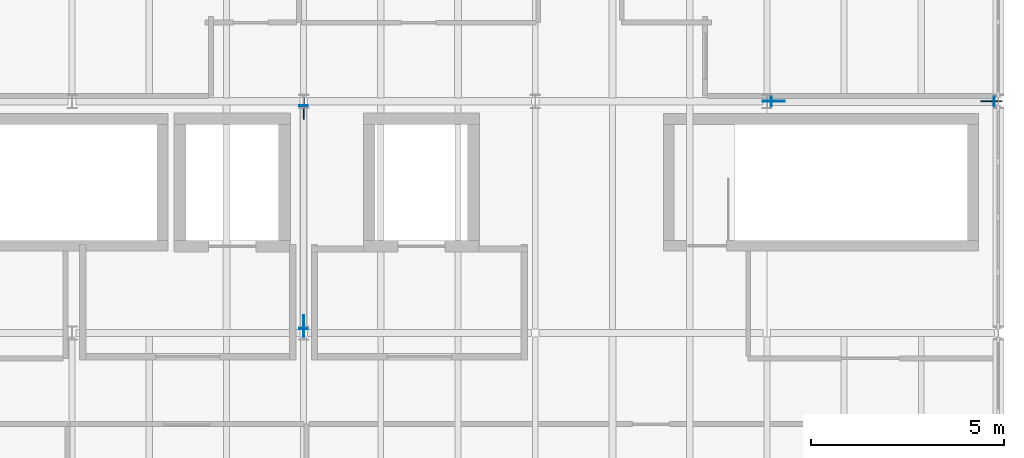
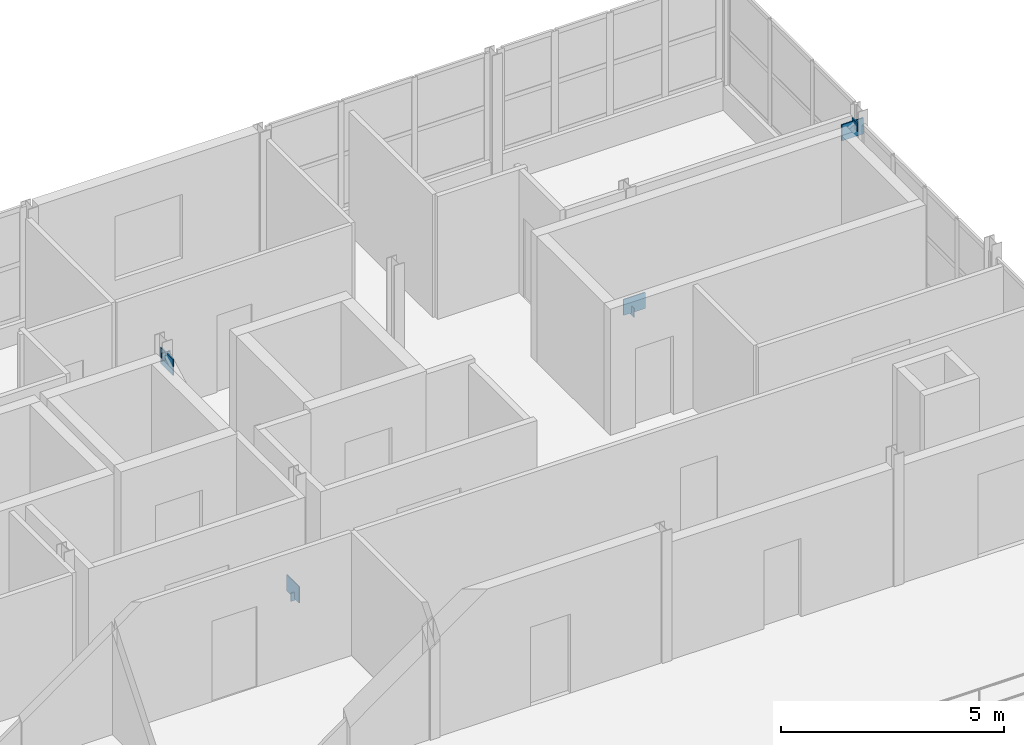
# One storey, part 14 of 20: 8 plates.
"""IFC4 building model written with IfcOpenShell, lengths in metres."""

from ifc_helpers import new_model, si_unit, direction, frame, origin, origin_2d, place, context, subcontext, project, spatial, rectangle, extrude, material, layer, layer_set, type_object, element, save


model = new_model("IFC4")

# Units and contexts
model_context = context("Model", 3, precision=1e-05, world=origin(), true_north=direction((0.0, 1.0)))
body_context = subcontext(model_context, "Body", "Model", "MODEL_VIEW")
ifc_project = project(units=[si_unit("LENGTHUNIT", "METRE"), si_unit("AREAUNIT", "SQUARE_METRE"), si_unit("VOLUMEUNIT", "CUBIC_METRE"), si_unit("PLANEANGLEUNIT", "RADIAN"), si_unit("MASSUNIT", "GRAM", prefix="KILO")], contexts=[model_context])

# Site, building, storey
site_placement = place(None, origin())
site = spatial("IfcSite", under=ifc_project, at=site_placement, CompositionType="ELEMENT")
building_placement = place(site_placement, origin())
building = spatial("IfcBuilding", under=site, at=building_placement, Name="Siltcreek Boulevard Central Fire Station", CompositionType="ELEMENT")
storey_placement = place(building_placement, frame((0.0, 0.0, 18.0)))
storey = spatial("IfcBuildingStorey", under=building, at=storey_placement, Name="L05", CompositionType="ELEMENT", Elevation=18.0)

# Plates
ifc_material = material(Name="Structural steel ASTM A572 Gr50", Category="steel")
ifc_layer_1 = layer(ifc_material, 0.02490234375, Name="Structural steel ASTM A572 Gr50")
ifc_layer_set_1 = layer_set([ifc_layer_1], Name="Structural steel ASTM A572 Gr50")
plate_type_1 = type_object("IfcPlateType", Name="PL_CAP25", PredefinedType="USERDEFINED", material=ifc_layer_set_1)
for number, where, z_axis, x_axis, name in (
    (1, (148.310791015625, 106.199951171875, -0.02490234375), (0.0, 0.0, 1.0), (1.0, 0.0, 0.0), "L05 buckling-restrained brace BR-030 sealed end cap 1"),
    (2, (154.08935546875, 106.199951171875, 3.03466796875), (0.0, 0.0, 1.0), (1.0, 0.0, 0.0), "L05 buckling-restrained brace BR-030 sealed end cap 2"),
):
    element("IfcPlate", number, at=place(storey_placement, frame(where, z_axis=z_axis, x_axis=x_axis)), inside=storey, type_object=plate_type_1, Name=name, ObjectType="END CAP", PredefinedType="USERDEFINED", context=body_context, shape_type="SweptSolid", body=[
        extrude(rectangle(XDim=0.02490234375, YDim=0.239990234375, at=origin_2d()), origin(), (0.0, 0.0, 1.0), 0.239990234375),
    ])
for number, where, z_axis, x_axis, name in (
    (3, (136.199951171875, 100.310791015625, -0.0146484375), (0.0, 0.0, 1.0), (0.0, 1.0, 0.0), "L05 buckling-restrained brace BR-036 sealed end cap 1"),
    (4, (136.199951171875, 106.08935546875, 3.044921875), (0.0, 0.0, 1.0), (0.0, 1.0, 0.0), "L05 buckling-restrained brace BR-036 sealed end cap 2"),
):
    element("IfcPlate", number, at=place(storey_placement, frame(where, z_axis=z_axis, x_axis=x_axis)), inside=storey, type_object=plate_type_1, Name=name, ObjectType="END CAP", PredefinedType="USERDEFINED", context=body_context, shape_type="SweptSolid", body=[
        extrude(rectangle(XDim=0.02490234375, YDim=0.219970703125, at=origin_2d()), origin(), (0.0, 0.0, 1.0), 0.219970703125),
    ])
ifc_layer_2 = layer(ifc_material, 0.02197265625, Name="Structural steel ASTM A572 Gr50")
ifc_layer_set_2 = layer_set([ifc_layer_2], Name="Structural steel ASTM A572 Gr50")
plate_type_2 = type_object("IfcPlateType", Name="PL_GUS22", PredefinedType="USERDEFINED", material=ifc_layer_set_2)
for number, where, z_axis, x_axis, name in (
    (5, (148.3798828125, 106.199951171875, 0.030029296875), (0.0, 0.0, 1.0), (1.0, 0.0, 0.0), "Seismic brace bot gusset plate GP-093"),
    (6, (136.199951171875, 100.3798828125, 0.030029296875), (0.0, 0.0, 1.0), (0.0, 1.0, 0.0), "Seismic brace bot gusset plate GP-105"),
):
    element("IfcPlate", number, at=place(storey_placement, frame(where, z_axis=z_axis, x_axis=x_axis)), inside=storey, type_object=plate_type_2, Name=name, ObjectType="GUSSET PLATE", PredefinedType="USERDEFINED", context=body_context, shape_type="SweptSolid", body=[
        extrude(rectangle(XDim=0.56005859375, YDim=0.02197265625, at=origin_2d()), origin(), (0.0, 0.0, 1.0), 0.43994140625),
    ])
ifc_layer_3 = layer(ifc_material, 0.028076171875, Name="Structural steel ASTM A572 Gr50")
ifc_layer_set_3 = layer_set([ifc_layer_3], Name="Structural steel ASTM A572 Gr50")
plate_type_3 = type_object("IfcPlateType", Name="PL_GUS28", PredefinedType="USERDEFINED", material=ifc_layer_set_3)
for number, where, z_axis, x_axis, name in (
    (7, (154.02001953125, 106.199951171875, 2.830078125), (0.0, 0.0, 1.0), (1.0, 0.0, 0.0), "Seismic brace top gusset plate GP-094"),
    (8, (136.199951171875, 106.02001953125, 2.830078125), (0.0, 0.0, 1.0), (0.0, 1.0, 0.0), "Seismic brace top gusset plate GP-106"),
):
    element("IfcPlate", number, at=place(storey_placement, frame(where, z_axis=z_axis, x_axis=x_axis)), inside=storey, type_object=plate_type_3, Name=name, ObjectType="GUSSET PLATE", PredefinedType="USERDEFINED", context=body_context, shape_type="SweptSolid", body=[
        extrude(rectangle(XDim=0.56005859375, YDim=0.028076171875, at=origin_2d()), origin(), (0.0, 0.0, 1.0), 0.43994140625),
    ])

save(model, "model.ifc")
